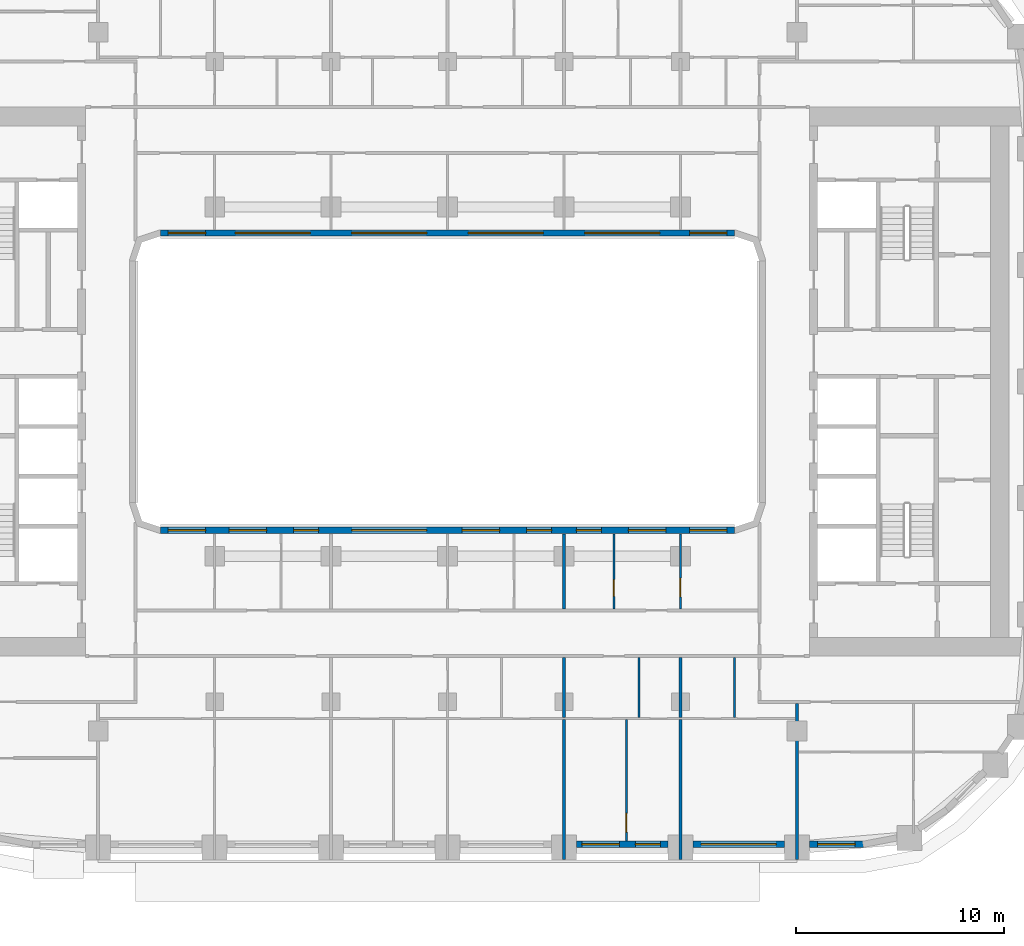
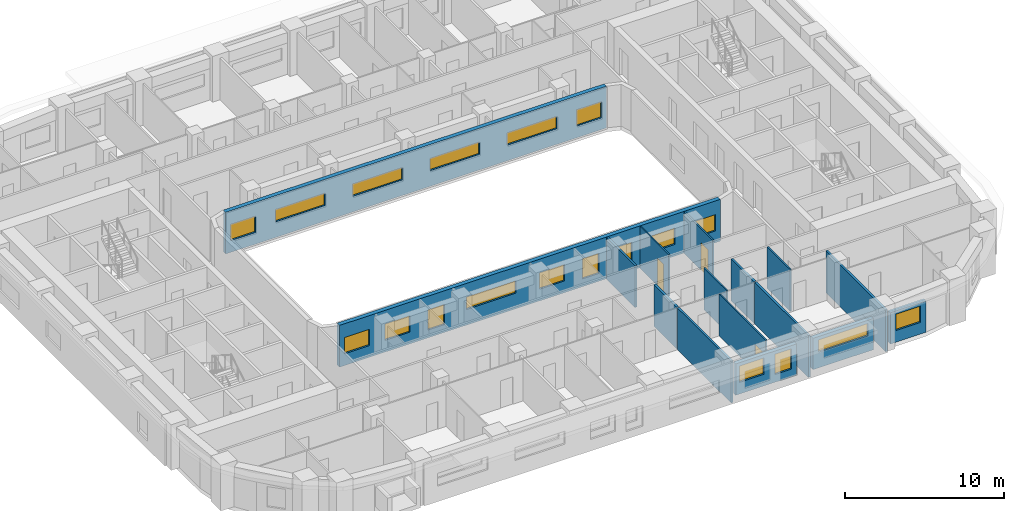
# One storey, part 6 of 23: 19 windows, 16 walls, 3 doors, 22 openings.
"""IFC4 building model written with IfcOpenShell, lengths in metres."""

from ifc_helpers import new_model, si_unit, direction, frame, frame_2d, origin, place, context, subcontext, project, spatial, rectangle, extrude, material, layer, layer_set, type_object, element, fill, save


model = new_model("IFC4")

# Units and contexts
model_context = context("Model", 3, precision=1e-05, world=origin(), true_north=direction((0.0, 1.0)))
body_context = subcontext(model_context, "Body", "Model", "MODEL_VIEW")
ifc_project = project(units=[si_unit("LENGTHUNIT", "METRE"), si_unit("AREAUNIT", "SQUARE_METRE"), si_unit("VOLUMEUNIT", "CUBIC_METRE"), si_unit("PLANEANGLEUNIT", "RADIAN"), si_unit("MASSUNIT", "GRAM", prefix="KILO")], contexts=[model_context])

# Site, building, storey
site_placement = place(None, origin())
site = spatial("IfcSite", under=ifc_project, at=site_placement, CompositionType="ELEMENT")
building_placement = place(site_placement, origin())
building = spatial("IfcBuilding", under=site, at=building_placement, Name="Kiln Ring Residences", CompositionType="ELEMENT")
storey_placement = place(building_placement, frame((0.0, 0.0, 118.300048828125)))
storey = spatial("IfcBuildingStorey", under=building, at=storey_placement, Name="L30", CompositionType="ELEMENT", Elevation=118.300048828125)

# Wall, openings, windows
ifc_material_1 = material(Name="Brick masonry, dark clay brick", Category="masonry")
ifc_layer_1 = layer(ifc_material_1, 0.300048828125)
ifc_layer_set_1 = layer_set([ifc_layer_1], Name="EW-300 BRICK WALL")
wall_type_1 = type_object("IfcWallType", Name="EW-300 BRICK WALL", PredefinedType="SOLIDWALL", material=ifc_layer_set_1)
wall_1_placement = place(storey_placement, frame((6.199951171875, -22.25, 0.0), z_axis=(0.0, 0.0, 1.0), x_axis=(1.0, 0.0, 0.0)))
wall_1 = element("IfcWall", 1, at=wall_1_placement, inside=storey, type_object=wall_type_1, Name="Facade wall L30 9", PredefinedType="SOLIDWALL", context=body_context, shape_type="SweptSolid", body=[
    extrude(rectangle(XDim=4.400146484375, YDim=0.300048828125, at=frame_2d((2.2001953125, 0.0))), origin(), (0.0, 0.0, 1.0), 2.39990234375),
])
opening_1_placement = place(wall_1_placement, frame((0.262451171875, 0.0, 0.89990234375)))
opening_1 = element("IfcOpeningElement", 2, at=opening_1_placement, cuts=wall_1, Name="Opening W2", PredefinedType="OPENING", context=body_context, shape_type="SweptSolid", body=[
    extrude(rectangle(XDim=1.800048828125, YDim=1.25, at=frame_2d((0.89990234375, 0.625))), frame((0.0, 0.159912109375, 0.0), z_axis=(0.0, -1.0, 0.0), x_axis=(1.0, 0.0, 0.0)), (0.0, 0.0, 1.0), 0.320068359375),
])
opening_2_placement = place(wall_1_placement, frame((2.83740234375, 0.0, 0.60009765625)))
opening_2 = element("IfcOpeningElement", 3, at=opening_2_placement, cuts=wall_1, Name="Opening W1", PredefinedType="OPENING", context=body_context, shape_type="SweptSolid", body=[
    extrude(rectangle(XDim=1.199951171875, YDim=1.550048828125, at=frame_2d((0.60009765625, 0.77490234375))), frame((0.0, 0.159912109375, 0.0), z_axis=(0.0, -1.0, 0.0), x_axis=(1.0, 0.0, 0.0)), (0.0, 0.0, 1.0), 0.320068359375),
])
ifc_material_2 = material(Name="Aluminium frame with double glazing", Category="aluminium")
window_type_1 = type_object("IfcWindowType", Name="WINDOW 1200 x 1550", PartitioningType="SINGLE_PANEL", PredefinedType="WINDOW", material=ifc_material_2)
window_1_placement = place(opening_2_placement, origin())
window_1 = element("IfcWindow", 4, at=window_1_placement, inside=storey, type_object=window_type_1, Name="Window L30 9", OverallHeight=1.550048828125, OverallWidth=1.199951171875, PartitioningType="SINGLE_PANEL", PredefinedType="WINDOW", context=body_context, shape_type="SweptSolid", body=[
    extrude(rectangle(XDim=1.199951171875, YDim=1.550048828125, at=frame_2d((0.60009765625, 0.77490234375))), frame((0.0, 0.030029296875, 0.0), z_axis=(0.0, -1.0, 0.0), x_axis=(1.0, 0.0, 0.0)), (0.0, 0.0, 1.0), 0.06005859375),
])
fill(opening_2, window_1)
ifc_material_3 = material(Name="Aluminium frame with double glazing", Category="aluminium")
window_type_2 = type_object("IfcWindowType", Name="WINDOW 1800 x 1250", PartitioningType="SINGLE_PANEL", PredefinedType="WINDOW", material=ifc_material_3)
window_2_placement = place(opening_1_placement, origin())
window_2 = element("IfcWindow", 5, at=window_2_placement, inside=storey, type_object=window_type_2, Name="Window L30 8", OverallHeight=1.25, OverallWidth=1.800048828125, PartitioningType="SINGLE_PANEL", PredefinedType="WINDOW", context=body_context, shape_type="SweptSolid", body=[
    extrude(rectangle(XDim=1.800048828125, YDim=1.25, at=frame_2d((0.89990234375, 0.625))), frame((0.0, 0.030029296875, 0.0), z_axis=(0.0, -1.0, 0.0), x_axis=(1.0, 0.0, 0.0)), (0.0, 0.0, 1.0), 0.06005859375),
])
fill(opening_1, window_2)

# Wall, opening, window
wall_2_placement = place(storey_placement, frame((11.800048828125, -22.25, 0.0), z_axis=(0.0, 0.0, 1.0), x_axis=(1.0, 0.0, 0.0)))
wall_2 = element("IfcWall", 6, at=wall_2_placement, inside=storey, type_object=wall_type_1, Name="Facade wall L30 10", PredefinedType="SOLIDWALL", context=body_context, shape_type="SweptSolid", body=[
    extrude(rectangle(XDim=4.39990234375, YDim=0.300048828125, at=frame_2d((2.199951171875, 0.0))), origin(), (0.0, 0.0, 1.0), 2.39990234375),
])
opening_3_placement = place(wall_2_placement, frame((0.39990234375, 0.0, 1.199951171875)))
opening_3 = element("IfcOpeningElement", 7, at=opening_3_placement, cuts=wall_2, Name="Opening W4", PredefinedType="OPENING", context=body_context, shape_type="SweptSolid", body=[
    extrude(rectangle(XDim=3.60009765625, YDim=0.949951171875, at=frame_2d((1.800048828125, 0.47509765625))), frame((0.0, 0.159912109375, 0.0), z_axis=(0.0, -1.0, 0.0), x_axis=(1.0, 0.0, 0.0)), (0.0, 0.0, 1.0), 0.320068359375),
])
ifc_material_4 = material(Name="Aluminium frame with double glazing", Category="aluminium")
window_type_3 = type_object("IfcWindowType", Name="WINDOW 3600 x 950", PartitioningType="SINGLE_PANEL", PredefinedType="WINDOW", material=ifc_material_4)
window_3_placement = place(opening_3_placement, origin())
window_3 = element("IfcWindow", 8, at=window_3_placement, inside=storey, type_object=window_type_3, Name="Window L30 10", OverallHeight=0.949951171875, OverallWidth=3.60009765625, PartitioningType="SINGLE_PANEL", PredefinedType="WINDOW", context=body_context, shape_type="SweptSolid", body=[
    extrude(rectangle(XDim=3.60009765625, YDim=0.949951171875, at=frame_2d((1.800048828125, 0.47509765625))), frame((0.0, 0.030029296875, 0.0), z_axis=(0.0, -1.0, 0.0), x_axis=(1.0, 0.0, 0.0)), (0.0, 0.0, 1.0), 0.06005859375),
])
fill(opening_3, window_3)

wall_3_placement = place(storey_placement, frame((17.39990234375, -22.25, 0.0), z_axis=(0.0, 0.0, 1.0), x_axis=(1.0, 0.0, 0.0)))
wall_3 = element("IfcWall", 9, at=wall_3_placement, inside=storey, type_object=wall_type_1, Name="Facade wall L30 11", PredefinedType="SOLIDWALL", context=body_context, shape_type="SweptSolid", body=[
    extrude(rectangle(XDim=2.60009765625, YDim=0.300048828125, at=frame_2d((1.300048828125, 0.0))), origin(), (0.0, 0.0, 1.0), 2.39990234375),
])
opening_4_placement = place(wall_3_placement, frame((0.39990234375, 0.0, 0.89990234375)))
opening_4 = element("IfcOpeningElement", 10, at=opening_4_placement, cuts=wall_3, Name="Opening W2", PredefinedType="OPENING", context=body_context, shape_type="SweptSolid", body=[
    extrude(rectangle(XDim=1.800048828125, YDim=1.25, at=frame_2d((0.89990234375, 0.625))), frame((0.0, 0.159912109375, 0.0), z_axis=(0.0, -1.0, 0.0), x_axis=(1.0, 0.0, 0.0)), (0.0, 0.0, 1.0), 0.320068359375),
])
window_4_placement = place(opening_4_placement, origin())
window_4 = element("IfcWindow", 11, at=window_4_placement, inside=storey, type_object=window_type_2, Name="Window L30 11", OverallHeight=1.25, OverallWidth=1.800048828125, PartitioningType="SINGLE_PANEL", PredefinedType="WINDOW", context=body_context, shape_type="SweptSolid", body=[
    extrude(rectangle(XDim=1.800048828125, YDim=1.25, at=frame_2d((0.89990234375, 0.625))), frame((0.0, 0.030029296875, 0.0), z_axis=(0.0, -1.0, 0.0), x_axis=(1.0, 0.0, 0.0)), (0.0, 0.0, 1.0), 0.06005859375),
])
fill(opening_4, window_4)

# Wall, openings, windows
wall_4_placement = place(storey_placement, frame((-13.800048828125, 7.14990234375, 0.0), z_axis=(0.0, 0.0, 1.0), x_axis=(1.0, 0.0, 0.0)))
wall_4 = element("IfcWall", 12, at=wall_4_placement, inside=storey, type_object=wall_type_1, Name="Facade wall L30 50", PredefinedType="SOLIDWALL", context=body_context, shape_type="SweptSolid", body=[
    extrude(rectangle(XDim=27.60009765625, YDim=0.300048828125, at=frame_2d((13.800048828125, 0.0))), origin(), (0.0, 0.0, 1.0), 3.199951171875),
])
opening_5_placement = place(wall_4_placement, frame((0.362548828125, 0.0, 0.89990234375)))
opening_5 = element("IfcOpeningElement", 13, at=opening_5_placement, cuts=wall_4, Name="Opening W2", PredefinedType="OPENING", context=body_context, shape_type="SweptSolid", body=[
    extrude(rectangle(XDim=1.800048828125, YDim=1.25, at=frame_2d((0.89990234375, 0.625))), frame((0.0, 0.159912109375, 0.0), z_axis=(0.0, -1.0, 0.0), x_axis=(1.0, 0.0, 0.0)), (0.0, 0.0, 1.0), 0.320068359375),
])
opening_6_placement = place(wall_4_placement, frame((3.60009765625, 0.0, 1.199951171875)))
opening_6 = element("IfcOpeningElement", 14, at=opening_6_placement, cuts=wall_4, Name="Opening W4", PredefinedType="OPENING", context=body_context, shape_type="SweptSolid", body=[
    extrude(rectangle(XDim=3.60009765625, YDim=0.949951171875, at=frame_2d((1.800048828125, 0.47509765625))), frame((0.0, 0.159912109375, 0.0), z_axis=(0.0, -1.0, 0.0), x_axis=(1.0, 0.0, 0.0)), (0.0, 0.0, 1.0), 0.320068359375),
])
opening_7_placement = place(wall_4_placement, frame((9.199951171875, 0.0, 1.199951171875)))
opening_7 = element("IfcOpeningElement", 15, at=opening_7_placement, cuts=wall_4, Name="Opening W4", PredefinedType="OPENING", context=body_context, shape_type="SweptSolid", body=[
    extrude(rectangle(XDim=3.60009765625, YDim=0.949951171875, at=frame_2d((1.800048828125, 0.47509765625))), frame((0.0, 0.159912109375, 0.0), z_axis=(0.0, -1.0, 0.0), x_axis=(1.0, 0.0, 0.0)), (0.0, 0.0, 1.0), 0.320068359375),
])
opening_8_placement = place(wall_4_placement, frame((14.800048828125, 0.0, 1.199951171875)))
opening_8 = element("IfcOpeningElement", 16, at=opening_8_placement, cuts=wall_4, Name="Opening W4", PredefinedType="OPENING", context=body_context, shape_type="SweptSolid", body=[
    extrude(rectangle(XDim=3.60009765625, YDim=0.949951171875, at=frame_2d((1.800048828125, 0.47509765625))), frame((0.0, 0.159912109375, 0.0), z_axis=(0.0, -1.0, 0.0), x_axis=(1.0, 0.0, 0.0)), (0.0, 0.0, 1.0), 0.320068359375),
])
opening_9_placement = place(wall_4_placement, frame((20.39990234375, 0.0, 1.199951171875)))
opening_9 = element("IfcOpeningElement", 17, at=opening_9_placement, cuts=wall_4, Name="Opening W4", PredefinedType="OPENING", context=body_context, shape_type="SweptSolid", body=[
    extrude(rectangle(XDim=3.60009765625, YDim=0.949951171875, at=frame_2d((1.800048828125, 0.47509765625))), frame((0.0, 0.159912109375, 0.0), z_axis=(0.0, -1.0, 0.0), x_axis=(1.0, 0.0, 0.0)), (0.0, 0.0, 1.0), 0.320068359375),
])
opening_10_placement = place(wall_4_placement, frame((25.4375, 0.0, 0.89990234375)))
opening_10 = element("IfcOpeningElement", 18, at=opening_10_placement, cuts=wall_4, Name="Opening W2", PredefinedType="OPENING", context=body_context, shape_type="SweptSolid", body=[
    extrude(rectangle(XDim=1.800048828125, YDim=1.25, at=frame_2d((0.89990234375, 0.625))), frame((0.0, 0.159912109375, 0.0), z_axis=(0.0, -1.0, 0.0), x_axis=(1.0, 0.0, 0.0)), (0.0, 0.0, 1.0), 0.320068359375),
])
window_5_placement = place(opening_5_placement, origin())
window_5 = element("IfcWindow", 19, at=window_5_placement, inside=storey, type_object=window_type_2, Name="Window L30 26", OverallHeight=1.25, OverallWidth=1.800048828125, PartitioningType="SINGLE_PANEL", PredefinedType="WINDOW", context=body_context, shape_type="SweptSolid", body=[
    extrude(rectangle(XDim=1.800048828125, YDim=1.25, at=frame_2d((0.89990234375, 0.625))), frame((0.0, 0.030029296875, 0.0), z_axis=(0.0, -1.0, 0.0), x_axis=(1.0, 0.0, 0.0)), (0.0, 0.0, 1.0), 0.06005859375),
])
fill(opening_5, window_5)
window_6_placement = place(opening_10_placement, origin())
window_6 = element("IfcWindow", 20, at=window_6_placement, inside=storey, type_object=window_type_2, Name="Window L30 31", OverallHeight=1.25, OverallWidth=1.800048828125, PartitioningType="SINGLE_PANEL", PredefinedType="WINDOW", context=body_context, shape_type="SweptSolid", body=[
    extrude(rectangle(XDim=1.800048828125, YDim=1.25, at=frame_2d((0.89990234375, 0.625))), frame((0.0, 0.030029296875, 0.0), z_axis=(0.0, -1.0, 0.0), x_axis=(1.0, 0.0, 0.0)), (0.0, 0.0, 1.0), 0.06005859375),
])
fill(opening_10, window_6)
window_7_placement = place(opening_6_placement, origin())
window_7 = element("IfcWindow", 21, at=window_7_placement, inside=storey, type_object=window_type_3, Name="Window L30 27", OverallHeight=0.949951171875, OverallWidth=3.60009765625, PartitioningType="SINGLE_PANEL", PredefinedType="WINDOW", context=body_context, shape_type="SweptSolid", body=[
    extrude(rectangle(XDim=3.60009765625, YDim=0.949951171875, at=frame_2d((1.800048828125, 0.47509765625))), frame((0.0, 0.030029296875, 0.0), z_axis=(0.0, -1.0, 0.0), x_axis=(1.0, 0.0, 0.0)), (0.0, 0.0, 1.0), 0.06005859375),
])
fill(opening_6, window_7)
window_8_placement = place(opening_7_placement, origin())
window_8 = element("IfcWindow", 22, at=window_8_placement, inside=storey, type_object=window_type_3, Name="Window L30 28", OverallHeight=0.949951171875, OverallWidth=3.60009765625, PartitioningType="SINGLE_PANEL", PredefinedType="WINDOW", context=body_context, shape_type="SweptSolid", body=[
    extrude(rectangle(XDim=3.60009765625, YDim=0.949951171875, at=frame_2d((1.800048828125, 0.47509765625))), frame((0.0, 0.030029296875, 0.0), z_axis=(0.0, -1.0, 0.0), x_axis=(1.0, 0.0, 0.0)), (0.0, 0.0, 1.0), 0.06005859375),
])
fill(opening_7, window_8)
window_9_placement = place(opening_8_placement, origin())
window_9 = element("IfcWindow", 23, at=window_9_placement, inside=storey, type_object=window_type_3, Name="Window L30 29", OverallHeight=0.949951171875, OverallWidth=3.60009765625, PartitioningType="SINGLE_PANEL", PredefinedType="WINDOW", context=body_context, shape_type="SweptSolid", body=[
    extrude(rectangle(XDim=3.60009765625, YDim=0.949951171875, at=frame_2d((1.800048828125, 0.47509765625))), frame((0.0, 0.030029296875, 0.0), z_axis=(0.0, -1.0, 0.0), x_axis=(1.0, 0.0, 0.0)), (0.0, 0.0, 1.0), 0.06005859375),
])
fill(opening_8, window_9)
window_10_placement = place(opening_9_placement, origin())
window_10 = element("IfcWindow", 24, at=window_10_placement, inside=storey, type_object=window_type_3, Name="Window L30 30", OverallHeight=0.949951171875, OverallWidth=3.60009765625, PartitioningType="SINGLE_PANEL", PredefinedType="WINDOW", context=body_context, shape_type="SweptSolid", body=[
    extrude(rectangle(XDim=3.60009765625, YDim=0.949951171875, at=frame_2d((1.800048828125, 0.47509765625))), frame((0.0, 0.030029296875, 0.0), z_axis=(0.0, -1.0, 0.0), x_axis=(1.0, 0.0, 0.0)), (0.0, 0.0, 1.0), 0.06005859375),
])
fill(opening_9, window_10)

wall_5_placement = place(storey_placement, frame((13.800048828125, -7.14990234375, 0.0), z_axis=(0.0, 0.0, 1.0), x_axis=(-1.0, 0.0, 0.0)))
wall_5 = element("IfcWall", 25, at=wall_5_placement, inside=storey, type_object=wall_type_1, Name="Facade wall L30 52", PredefinedType="SOLIDWALL", context=body_context, shape_type="SweptSolid", body=[
    extrude(rectangle(XDim=27.60009765625, YDim=0.300048828125, at=frame_2d((13.800048828125, 0.0))), origin(), (0.0, 0.0, 1.0), 3.199951171875),
])
opening_11_placement = place(wall_5_placement, frame((0.362548828125, 0.0, 0.89990234375)))
opening_11 = element("IfcOpeningElement", 26, at=opening_11_placement, cuts=wall_5, Name="Opening W2", PredefinedType="OPENING", context=body_context, shape_type="SweptSolid", body=[
    extrude(rectangle(XDim=1.800048828125, YDim=1.25, at=frame_2d((0.89990234375, 0.625))), frame((0.0, 0.159912109375, 0.0), z_axis=(0.0, -1.0, 0.0), x_axis=(1.0, 0.0, 0.0)), (0.0, 0.0, 1.0), 0.320068359375),
])
opening_12_placement = place(wall_5_placement, frame((3.300048828125, 0.0, 0.89990234375)))
opening_12 = element("IfcOpeningElement", 27, at=opening_12_placement, cuts=wall_5, Name="Opening W2", PredefinedType="OPENING", context=body_context, shape_type="SweptSolid", body=[
    extrude(rectangle(XDim=1.800048828125, YDim=1.25, at=frame_2d((0.89990234375, 0.625))), frame((0.0, 0.159912109375, 0.0), z_axis=(0.0, -1.0, 0.0), x_axis=(1.0, 0.0, 0.0)), (0.0, 0.0, 1.0), 0.320068359375),
])
opening_13_placement = place(wall_5_placement, frame((6.39990234375, 0.0, 0.60009765625)))
opening_13 = element("IfcOpeningElement", 28, at=opening_13_placement, cuts=wall_5, Name="Opening W1", PredefinedType="OPENING", context=body_context, shape_type="SweptSolid", body=[
    extrude(rectangle(XDim=1.199951171875, YDim=1.550048828125, at=frame_2d((0.60009765625, 0.77490234375))), frame((0.0, 0.159912109375, 0.0), z_axis=(0.0, -1.0, 0.0), x_axis=(1.0, 0.0, 0.0)), (0.0, 0.0, 1.0), 0.320068359375),
])
opening_14_placement = place(wall_5_placement, frame((8.800048828125, 0.0, 0.60009765625)))
opening_14 = element("IfcOpeningElement", 29, at=opening_14_placement, cuts=wall_5, Name="Opening W1", PredefinedType="OPENING", context=body_context, shape_type="SweptSolid", body=[
    extrude(rectangle(XDim=1.199951171875, YDim=1.550048828125, at=frame_2d((0.60009765625, 0.77490234375))), frame((0.0, 0.159912109375, 0.0), z_axis=(0.0, -1.0, 0.0), x_axis=(1.0, 0.0, 0.0)), (0.0, 0.0, 1.0), 0.320068359375),
])
opening_15_placement = place(wall_5_placement, frame((11.300048828125, 0.0, 0.89990234375)))
opening_15 = element("IfcOpeningElement", 30, at=opening_15_placement, cuts=wall_5, Name="Opening W2", PredefinedType="OPENING", context=body_context, shape_type="SweptSolid", body=[
    extrude(rectangle(XDim=1.800048828125, YDim=1.25, at=frame_2d((0.89990234375, 0.625))), frame((0.0, 0.159912109375, 0.0), z_axis=(0.0, -1.0, 0.0), x_axis=(1.0, 0.0, 0.0)), (0.0, 0.0, 1.0), 0.320068359375),
])
opening_16_placement = place(wall_5_placement, frame((14.800048828125, 0.0, 1.199951171875)))
opening_16 = element("IfcOpeningElement", 31, at=opening_16_placement, cuts=wall_5, Name="Opening W4", PredefinedType="OPENING", context=body_context, shape_type="SweptSolid", body=[
    extrude(rectangle(XDim=3.60009765625, YDim=0.949951171875, at=frame_2d((1.800048828125, 0.47509765625))), frame((0.0, 0.159912109375, 0.0), z_axis=(0.0, -1.0, 0.0), x_axis=(1.0, 0.0, 0.0)), (0.0, 0.0, 1.0), 0.320068359375),
])
opening_17_placement = place(wall_5_placement, frame((20.0, 0.0, 0.60009765625)))
opening_17 = element("IfcOpeningElement", 32, at=opening_17_placement, cuts=wall_5, Name="Opening W1", PredefinedType="OPENING", context=body_context, shape_type="SweptSolid", body=[
    extrude(rectangle(XDim=1.199951171875, YDim=1.550048828125, at=frame_2d((0.60009765625, 0.77490234375))), frame((0.0, 0.159912109375, 0.0), z_axis=(0.0, -1.0, 0.0), x_axis=(1.0, 0.0, 0.0)), (0.0, 0.0, 1.0), 0.320068359375),
])
opening_18_placement = place(wall_5_placement, frame((22.5, 0.0, 0.89990234375)))
opening_18 = element("IfcOpeningElement", 33, at=opening_18_placement, cuts=wall_5, Name="Opening W2", PredefinedType="OPENING", context=body_context, shape_type="SweptSolid", body=[
    extrude(rectangle(XDim=1.800048828125, YDim=1.25, at=frame_2d((0.89990234375, 0.625))), frame((0.0, 0.159912109375, 0.0), z_axis=(0.0, -1.0, 0.0), x_axis=(1.0, 0.0, 0.0)), (0.0, 0.0, 1.0), 0.320068359375),
])
opening_19_placement = place(wall_5_placement, frame((25.4375, 0.0, 0.89990234375)))
opening_19 = element("IfcOpeningElement", 34, at=opening_19_placement, cuts=wall_5, Name="Opening W2", PredefinedType="OPENING", context=body_context, shape_type="SweptSolid", body=[
    extrude(rectangle(XDim=1.800048828125, YDim=1.25, at=frame_2d((0.89990234375, 0.625))), frame((0.0, 0.159912109375, 0.0), z_axis=(0.0, -1.0, 0.0), x_axis=(1.0, 0.0, 0.0)), (0.0, 0.0, 1.0), 0.320068359375),
])
window_11_placement = place(opening_13_placement, origin())
window_11 = element("IfcWindow", 35, at=window_11_placement, inside=storey, type_object=window_type_1, Name="Window L30 34", OverallHeight=1.550048828125, OverallWidth=1.199951171875, PartitioningType="SINGLE_PANEL", PredefinedType="WINDOW", context=body_context, shape_type="SweptSolid", body=[
    extrude(rectangle(XDim=1.199951171875, YDim=1.550048828125, at=frame_2d((0.60009765625, 0.77490234375))), frame((0.0, 0.030029296875, 0.0), z_axis=(0.0, -1.0, 0.0), x_axis=(1.0, 0.0, 0.0)), (0.0, 0.0, 1.0), 0.06005859375),
])
fill(opening_13, window_11)
window_12_placement = place(opening_14_placement, origin())
window_12 = element("IfcWindow", 36, at=window_12_placement, inside=storey, type_object=window_type_1, Name="Window L30 35", OverallHeight=1.550048828125, OverallWidth=1.199951171875, PartitioningType="SINGLE_PANEL", PredefinedType="WINDOW", context=body_context, shape_type="SweptSolid", body=[
    extrude(rectangle(XDim=1.199951171875, YDim=1.550048828125, at=frame_2d((0.60009765625, 0.77490234375))), frame((0.0, 0.030029296875, 0.0), z_axis=(0.0, -1.0, 0.0), x_axis=(1.0, 0.0, 0.0)), (0.0, 0.0, 1.0), 0.06005859375),
])
fill(opening_14, window_12)
window_13_placement = place(opening_17_placement, origin())
window_13 = element("IfcWindow", 37, at=window_13_placement, inside=storey, type_object=window_type_1, Name="Window L30 38", OverallHeight=1.550048828125, OverallWidth=1.199951171875, PartitioningType="SINGLE_PANEL", PredefinedType="WINDOW", context=body_context, shape_type="SweptSolid", body=[
    extrude(rectangle(XDim=1.199951171875, YDim=1.550048828125, at=frame_2d((0.60009765625, 0.77490234375))), frame((0.0, 0.030029296875, 0.0), z_axis=(0.0, -1.0, 0.0), x_axis=(1.0, 0.0, 0.0)), (0.0, 0.0, 1.0), 0.06005859375),
])
fill(opening_17, window_13)
window_14_placement = place(opening_11_placement, origin())
window_14 = element("IfcWindow", 38, at=window_14_placement, inside=storey, type_object=window_type_2, Name="Window L30 32", OverallHeight=1.25, OverallWidth=1.800048828125, PartitioningType="SINGLE_PANEL", PredefinedType="WINDOW", context=body_context, shape_type="SweptSolid", body=[
    extrude(rectangle(XDim=1.800048828125, YDim=1.25, at=frame_2d((0.89990234375, 0.625))), frame((0.0, 0.030029296875, 0.0), z_axis=(0.0, -1.0, 0.0), x_axis=(1.0, 0.0, 0.0)), (0.0, 0.0, 1.0), 0.06005859375),
])
fill(opening_11, window_14)
window_15_placement = place(opening_12_placement, origin())
window_15 = element("IfcWindow", 39, at=window_15_placement, inside=storey, type_object=window_type_2, Name="Window L30 33", OverallHeight=1.25, OverallWidth=1.800048828125, PartitioningType="SINGLE_PANEL", PredefinedType="WINDOW", context=body_context, shape_type="SweptSolid", body=[
    extrude(rectangle(XDim=1.800048828125, YDim=1.25, at=frame_2d((0.89990234375, 0.625))), frame((0.0, 0.030029296875, 0.0), z_axis=(0.0, -1.0, 0.0), x_axis=(1.0, 0.0, 0.0)), (0.0, 0.0, 1.0), 0.06005859375),
])
fill(opening_12, window_15)
window_16_placement = place(opening_15_placement, origin())
window_16 = element("IfcWindow", 40, at=window_16_placement, inside=storey, type_object=window_type_2, Name="Window L30 36", OverallHeight=1.25, OverallWidth=1.800048828125, PartitioningType="SINGLE_PANEL", PredefinedType="WINDOW", context=body_context, shape_type="SweptSolid", body=[
    extrude(rectangle(XDim=1.800048828125, YDim=1.25, at=frame_2d((0.89990234375, 0.625))), frame((0.0, 0.030029296875, 0.0), z_axis=(0.0, -1.0, 0.0), x_axis=(1.0, 0.0, 0.0)), (0.0, 0.0, 1.0), 0.06005859375),
])
fill(opening_15, window_16)
window_17_placement = place(opening_18_placement, origin())
window_17 = element("IfcWindow", 41, at=window_17_placement, inside=storey, type_object=window_type_2, Name="Window L30 39", OverallHeight=1.25, OverallWidth=1.800048828125, PartitioningType="SINGLE_PANEL", PredefinedType="WINDOW", context=body_context, shape_type="SweptSolid", body=[
    extrude(rectangle(XDim=1.800048828125, YDim=1.25, at=frame_2d((0.89990234375, 0.625))), frame((0.0, 0.030029296875, 0.0), z_axis=(0.0, -1.0, 0.0), x_axis=(1.0, 0.0, 0.0)), (0.0, 0.0, 1.0), 0.06005859375),
])
fill(opening_18, window_17)
window_18_placement = place(opening_19_placement, origin())
window_18 = element("IfcWindow", 42, at=window_18_placement, inside=storey, type_object=window_type_2, Name="Window L30 40", OverallHeight=1.25, OverallWidth=1.800048828125, PartitioningType="SINGLE_PANEL", PredefinedType="WINDOW", context=body_context, shape_type="SweptSolid", body=[
    extrude(rectangle(XDim=1.800048828125, YDim=1.25, at=frame_2d((0.89990234375, 0.625))), frame((0.0, 0.030029296875, 0.0), z_axis=(0.0, -1.0, 0.0), x_axis=(1.0, 0.0, 0.0)), (0.0, 0.0, 1.0), 0.06005859375),
])
fill(opening_19, window_18)
window_19_placement = place(opening_16_placement, origin())
window_19 = element("IfcWindow", 43, at=window_19_placement, inside=storey, type_object=window_type_3, Name="Window L30 37", OverallHeight=0.949951171875, OverallWidth=3.60009765625, PartitioningType="SINGLE_PANEL", PredefinedType="WINDOW", context=body_context, shape_type="SweptSolid", body=[
    extrude(rectangle(XDim=3.60009765625, YDim=0.949951171875, at=frame_2d((1.800048828125, 0.47509765625))), frame((0.0, 0.030029296875, 0.0), z_axis=(0.0, -1.0, 0.0), x_axis=(1.0, 0.0, 0.0)), (0.0, 0.0, 1.0), 0.06005859375),
])
fill(opening_16, window_19)

# Wall, opening, door
ifc_material_5 = material(Name="Gypsum board on steel studs", Category="steel")
ifc_layer_2 = layer(ifc_material_5, 0.10009765625)
ifc_layer_set_2 = layer_set([ifc_layer_2], Name="PARTITION-100")
wall_type_2 = type_object("IfcWallType", Name="PARTITION-100", PredefinedType="PARTITIONING", material=ifc_layer_set_2)
wall_6_placement = place(storey_placement, frame((8.0, -10.925048828125, 0.0), z_axis=(0.0, 0.0, 1.0), x_axis=(0.0, 1.0, 0.0)))
wall_6 = element("IfcWall", 44, at=wall_6_placement, inside=storey, type_object=wall_type_2, Name="Partition 057", PredefinedType="PARTITIONING", context=body_context, shape_type="SweptSolid", body=[
    extrude(rectangle(XDim=3.60498046875, YDim=0.10009765625, at=frame_2d((1.802490234375, 0.0))), origin(), (0.0, 0.0, 1.0), 3.199951171875),
])
opening_20_placement = place(wall_6_placement, frame((0.60498046875, 0.0, 0.0)))
opening_20 = element("IfcOpeningElement", 45, at=opening_20_placement, cuts=wall_6, Name="Opening L30-D050", PredefinedType="OPENING", context=body_context, shape_type="SweptSolid", body=[
    extrude(rectangle(XDim=0.800048828125, YDim=2.10009765625, at=frame_2d((0.39990234375, 1.050048828125))), frame((0.0, 0.06005859375, 0.0), z_axis=(0.0, -1.0, 0.0), x_axis=(1.0, 0.0, 0.0)), (0.0, 0.0, 1.0), 0.1201171875),
])
ifc_material_6 = material(Name="Timber door leaf", Category="wood")
door_type_1 = type_object("IfcDoorType", Name="FLAT-DOOR-800-PL", OperationType="SINGLE_SWING_LEFT", PredefinedType="DOOR", material=ifc_material_6)
door_1_placement = place(opening_20_placement, origin())
door_1 = element("IfcDoor", 46, at=door_1_placement, inside=storey, type_object=door_type_1, Name="Door L30-D050", OperationType="SINGLE_SWING_RIGHT", OverallHeight=2.10009765625, OverallWidth=0.800048828125, PredefinedType="DOOR", context=body_context, shape_type="SweptSolid", body=[
    extrude(rectangle(XDim=0.800048828125, YDim=2.10009765625, at=frame_2d((0.39990234375, 1.050048828125))), frame((0.0, 0.02490234375, 0.0), z_axis=(0.0, -1.0, 0.0), x_axis=(1.0, 0.0, 0.0)), (0.0, 0.0, 1.0), 0.050048828125),
])
fill(opening_20, door_1)

wall_7_placement = place(storey_placement, frame((8.60009765625, -22.080078125, 0.0), z_axis=(0.0, 0.0, 1.0), x_axis=(0.0, 1.0, 0.0)))
wall_7 = element("IfcWall", 47, at=wall_7_placement, inside=storey, type_object=wall_type_2, Name="Partition 059", PredefinedType="PARTITIONING", context=body_context, shape_type="SweptSolid", body=[
    extrude(rectangle(XDim=5.830078125, YDim=0.10009765625, at=frame_2d((2.9150390625, 0.0))), origin(), (0.0, 0.0, 1.0), 3.199951171875),
])
opening_21_placement = place(wall_7_placement, frame((0.419921875, 0.0, 0.0)))
opening_21 = element("IfcOpeningElement", 48, at=opening_21_placement, cuts=wall_7, Name="Opening L30-D065", PredefinedType="OPENING", context=body_context, shape_type="SweptSolid", body=[
    extrude(rectangle(XDim=0.89990234375, YDim=2.10009765625, at=frame_2d((0.449951171875, 1.050048828125))), frame((0.0, 0.06005859375, 0.0), z_axis=(0.0, -1.0, 0.0), x_axis=(1.0, 0.0, 0.0)), (0.0, 0.0, 1.0), 0.1201171875),
])
ifc_material_7 = material(Name="Timber door leaf", Category="wood")
door_type_2 = type_object("IfcDoorType", Name="FLAT-DOOR-900-PL", OperationType="SINGLE_SWING_LEFT", PredefinedType="DOOR", material=ifc_material_7)
door_2_placement = place(opening_21_placement, origin())
door_2 = element("IfcDoor", 49, at=door_2_placement, inside=storey, type_object=door_type_2, Name="Door L30-D065", OperationType="SINGLE_SWING_LEFT", OverallHeight=2.10009765625, OverallWidth=0.89990234375, PredefinedType="DOOR", context=body_context, shape_type="SweptSolid", body=[
    extrude(rectangle(XDim=0.89990234375, YDim=2.10009765625, at=frame_2d((0.449951171875, 1.050048828125))), frame((0.0, 0.02490234375, 0.0), z_axis=(0.0, -1.0, 0.0), x_axis=(1.0, 0.0, 0.0)), (0.0, 0.0, 1.0), 0.050048828125),
])
fill(opening_21, door_2)

# Wall
wall_8_placement = place(storey_placement, frame((9.199951171875, -16.14990234375, 0.0), z_axis=(0.0, 0.0, 1.0), x_axis=(0.0, 1.0, 0.0)))
element("IfcWall", 50, at=wall_8_placement, inside=storey, type_object=wall_type_2, Name="Partition 061", PredefinedType="PARTITIONING", context=body_context, shape_type="SweptSolid", body=[
    extrude(rectangle(XDim=2.875, YDim=0.10009765625, at=frame_2d((1.4375, 0.0))), origin(), (0.0, 0.0, 1.0), 3.199951171875),
])

# Wall, opening, door
wall_9_placement = place(storey_placement, frame((11.199951171875, -10.925048828125, 0.0), z_axis=(0.0, 0.0, 1.0), x_axis=(0.0, 1.0, 0.0)))
wall_9 = element("IfcWall", 51, at=wall_9_placement, inside=storey, type_object=wall_type_2, Name="Partition 062", PredefinedType="PARTITIONING", context=body_context, shape_type="SweptSolid", body=[
    extrude(rectangle(XDim=3.60498046875, YDim=0.10009765625, at=frame_2d((1.802490234375, 0.0))), origin(), (0.0, 0.0, 1.0), 3.199951171875),
])
opening_22_placement = place(wall_9_placement, frame((0.575927734375, 0.0, 0.0)))
opening_22 = element("IfcOpeningElement", 52, at=opening_22_placement, cuts=wall_9, Name="Opening L30-D051", PredefinedType="OPENING", context=body_context, shape_type="SweptSolid", body=[
    extrude(rectangle(XDim=0.89990234375, YDim=2.10009765625, at=frame_2d((0.449951171875, 1.050048828125))), frame((0.0, 0.06005859375, 0.0), z_axis=(0.0, -1.0, 0.0), x_axis=(1.0, 0.0, 0.0)), (0.0, 0.0, 1.0), 0.1201171875),
])
door_3_placement = place(opening_22_placement, origin())
door_3 = element("IfcDoor", 53, at=door_3_placement, inside=storey, type_object=door_type_2, Name="Door L30-D051", OperationType="SINGLE_SWING_LEFT", OverallHeight=2.10009765625, OverallWidth=0.89990234375, PredefinedType="DOOR", context=body_context, shape_type="SweptSolid", body=[
    extrude(rectangle(XDim=0.89990234375, YDim=2.10009765625, at=frame_2d((0.449951171875, 1.050048828125))), frame((0.0, 0.02490234375, 0.0), z_axis=(0.0, -1.0, 0.0), x_axis=(1.0, 0.0, 0.0)), (0.0, 0.0, 1.0), 0.050048828125),
])
fill(opening_22, door_3)

# Walls
wall_10_placement = place(storey_placement, frame((13.800048828125, -16.14990234375, 0.0), z_axis=(0.0, 0.0, 1.0), x_axis=(0.0, 1.0, 0.0)))
element("IfcWall", 54, at=wall_10_placement, inside=storey, type_object=wall_type_2, Name="Partition 069", PredefinedType="PARTITIONING", context=body_context, shape_type="SweptSolid", body=[
    extrude(rectangle(XDim=2.875, YDim=0.10009765625, at=frame_2d((1.4375, 0.0))), origin(), (0.0, 0.0, 1.0), 3.199951171875),
])
ifc_material_8 = material(Name="Brick masonry partition", Category="masonry")
ifc_layer_3 = layer(ifc_material_8, 0.14990234375)
ifc_layer_set_3 = layer_set([ifc_layer_3], Name="PARTITION-150-ei60")
wall_type_3 = type_object("IfcWallType", Name="PARTITION-150-ei60", PredefinedType="PARTITIONING", material=ifc_layer_set_3)
wall_11_placement = place(storey_placement, frame((5.60009765625, -22.97998046875, 0.0), z_axis=(0.0, 0.0, 1.0), x_axis=(0.0, 1.0, 0.0)))
element("IfcWall", 55, at=wall_11_placement, inside=storey, type_object=wall_type_3, Name="Partition 052", PredefinedType="PARTITIONING", context=body_context, shape_type="SweptSolid", body=[
    extrude(rectangle(XDim=6.72998046875, YDim=0.14990234375, at=frame_2d((3.364990234375, 0.0))), origin(), (0.0, 0.0, 1.0), 3.199951171875),
])
wall_12_placement = place(storey_placement, frame((5.60009765625, -16.14990234375, 0.0), z_axis=(0.0, 0.0, 1.0), x_axis=(0.0, 1.0, 0.0)))
element("IfcWall", 56, at=wall_12_placement, inside=storey, type_object=wall_type_3, Name="Partition 053", PredefinedType="PARTITIONING", context=body_context, shape_type="SweptSolid", body=[
    extrude(rectangle(XDim=2.875, YDim=0.14990234375, at=frame_2d((1.4375, 0.0))), origin(), (0.0, 0.0, 1.0), 3.199951171875),
])
wall_13_placement = place(storey_placement, frame((5.60009765625, -10.925048828125, 0.0), z_axis=(0.0, 0.0, 1.0), x_axis=(0.0, 1.0, 0.0)))
element("IfcWall", 57, at=wall_13_placement, inside=storey, type_object=wall_type_3, Name="Partition 054", PredefinedType="PARTITIONING", context=body_context, shape_type="SweptSolid", body=[
    extrude(rectangle(XDim=3.60498046875, YDim=0.14990234375, at=frame_2d((1.802490234375, 0.0))), origin(), (0.0, 0.0, 1.0), 3.199951171875),
])
wall_14_placement = place(storey_placement, frame((11.199951171875, -22.97998046875, 0.0), z_axis=(0.0, 0.0, 1.0), x_axis=(0.0, 1.0, 0.0)))
element("IfcWall", 58, at=wall_14_placement, inside=storey, type_object=wall_type_3, Name="Partition 064", PredefinedType="PARTITIONING", context=body_context, shape_type="SweptSolid", body=[
    extrude(rectangle(XDim=6.72998046875, YDim=0.14990234375, at=frame_2d((3.364990234375, 0.0))), origin(), (0.0, 0.0, 1.0), 3.199951171875),
])
wall_15_placement = place(storey_placement, frame((11.199951171875, -16.14990234375, 0.0), z_axis=(0.0, 0.0, 1.0), x_axis=(0.0, 1.0, 0.0)))
element("IfcWall", 59, at=wall_15_placement, inside=storey, type_object=wall_type_3, Name="Partition 065", PredefinedType="PARTITIONING", context=body_context, shape_type="SweptSolid", body=[
    extrude(rectangle(XDim=2.875, YDim=0.14990234375, at=frame_2d((1.4375, 0.0))), origin(), (0.0, 0.0, 1.0), 3.199951171875),
])
wall_16_placement = place(storey_placement, frame((16.800048828125, -22.97998046875, 0.0), z_axis=(0.0, 0.0, 1.0), x_axis=(0.0, 1.0, 0.0)))
element("IfcWall", 60, at=wall_16_placement, inside=storey, type_object=wall_type_3, Name="Partition 074", PredefinedType="PARTITIONING", context=body_context, shape_type="SweptSolid", body=[
    extrude(rectangle(XDim=7.5048828125, YDim=0.14990234375, at=frame_2d((3.75244140625, 0.0))), origin(), (0.0, 0.0, 1.0), 3.199951171875),
])

save(model, "model.ifc")
